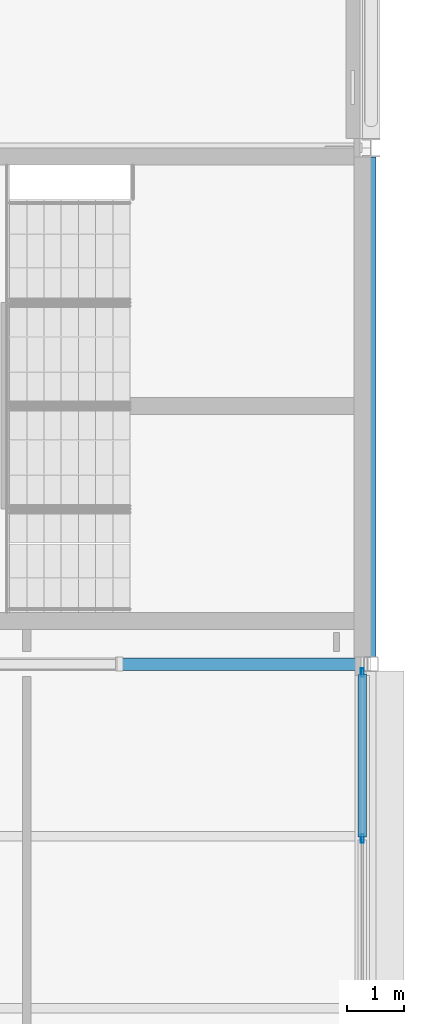
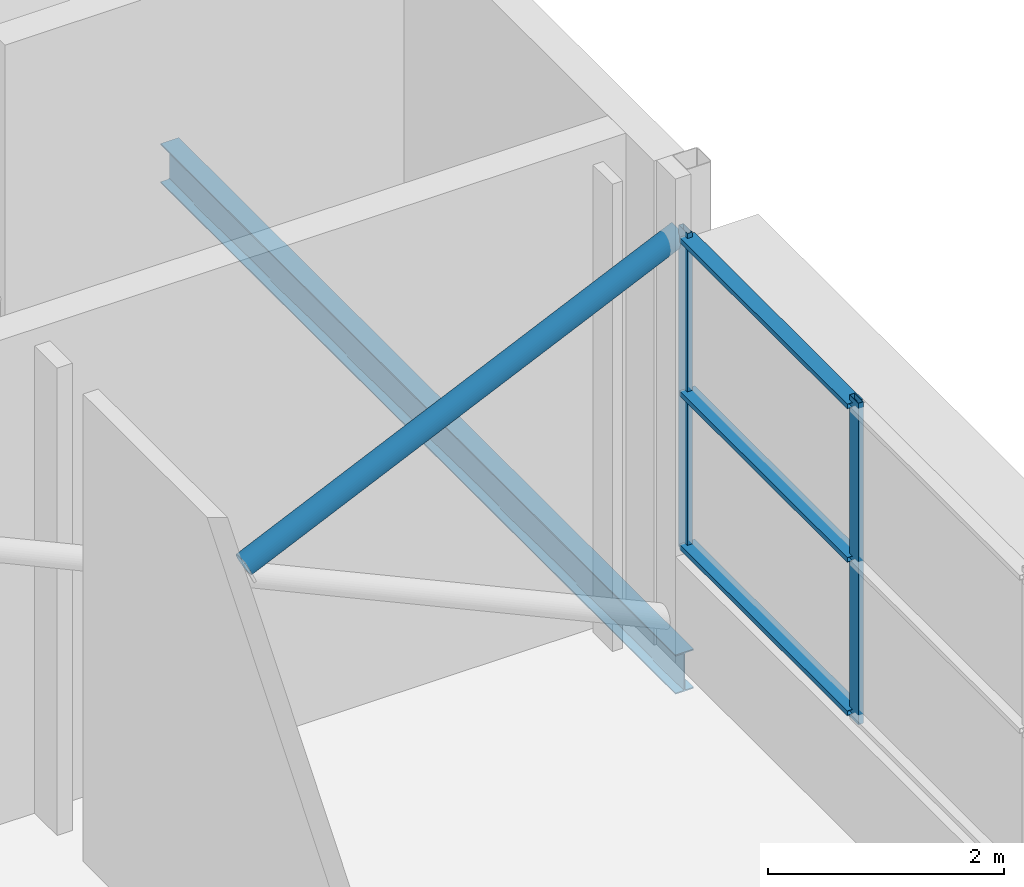
# One storey, part 54 of 94: 6 members, 1 beam, 1 element without a shape of its own.
"""IFC4 building model written with IfcOpenShell, lengths in metres."""

from ifc_helpers import new_model, si_unit, direction, frame, origin, origin_2d, place, context, subcontext, project, spatial, hollow_rectangle, hollow_circle, i_section, extrude, material, layer, layer_set, material_profile, profile_set, type_object, element, aggregate, save


model = new_model("IFC4")

# Units and contexts
model_context = context("Model", 3, precision=1e-05, world=origin(), true_north=direction((0.0, 1.0)))
body_context = subcontext(model_context, "Body", "Model", "MODEL_VIEW")
ifc_project = project(units=[si_unit("LENGTHUNIT", "METRE"), si_unit("AREAUNIT", "SQUARE_METRE"), si_unit("VOLUMEUNIT", "CUBIC_METRE"), si_unit("PLANEANGLEUNIT", "RADIAN"), si_unit("MASSUNIT", "GRAM", prefix="KILO")], contexts=[model_context])

# Site, building, storey
site_placement = place(None, origin())
site = spatial("IfcSite", under=ifc_project, at=site_placement, CompositionType="ELEMENT")
building_placement = place(site_placement, origin())
building = spatial("IfcBuilding", under=site, at=building_placement, Name="Shorebreak Coast Museum", CompositionType="ELEMENT")
storey_placement = place(building_placement, frame((0.0, 0.0, 31.0)))
storey = spatial("IfcBuildingStorey", under=building, at=storey_placement, Name="L05", CompositionType="ELEMENT", Elevation=31.0)

# Beam
ifc_material_1 = material(Name="Steel Grade 300", Category="steel")
ifc_material_profile_1 = material_profile(ifc_material_1, i_section(OverallWidth=0.177978515625, OverallDepth=0.406494140625, WebThickness=0.0078125, FlangeThickness=0.0126953125, FilletRadius=0.011474609375, at=origin_2d()), Name="410UB59.7")
ifc_profile_set_1 = profile_set([ifc_material_profile_1], Name="Steel Grade 300")
beam_type = type_object("IfcBeamType", Name="Floor girder north-south 410UB59.7", PredefinedType="BEAM", material=ifc_profile_set_1)
beam_placement = place(storey_placement, frame((117.0, 81.125, -0.378173828125), z_axis=(0.0, 1.0, 0.0), x_axis=(-1.0, 0.0, 0.0)))
element("IfcBeam", 1, at=beam_placement, inside=storey, type_object=beam_type, Name="Floor girder north-south L05 14K", PredefinedType="BEAM", context=body_context, shape_type="SweptSolid", body=[
    extrude(i_section(OverallWidth=0.177978515625, OverallDepth=0.406494140625, WebThickness=0.0078125, FlangeThickness=0.0126953125, FilletRadius=0.011474609375, at=origin_2d()), origin(), (0.0, 0.0, 1.0), 8.71142578125),
])

# Curtain wall, members
ifc_material_2 = material(Name="Aluminium", Category="aluminium")
ifc_layer = layer(ifc_material_2, 0.14990234375)
ifc_layer_set = layer_set([ifc_layer], Name="Aluminium")
curtain_wall_type = type_object("IfcCurtainWallType", Name="Storefront curtain wall", PredefinedType="NOTDEFINED", material=ifc_layer_set)
curtain_wall_placement = place(storey_placement, origin())
curtain_wall = element("IfcCurtainWall", 2, at=curtain_wall_placement, inside=storey, type_object=curtain_wall_type, Name="Atrium Hall glazing L05 E 12", PredefinedType="NOTDEFINED")
ifc_material_3 = material(Name="Aluminium", Category="aluminium")
ifc_material_profile_2 = material_profile(ifc_material_3, hollow_rectangle(XDim=0.050048828125, YDim=0.14990234375, WallThickness=0.00390625, at=origin_2d()), Name="AL 150x50 RHS")
ifc_profile_set_2 = profile_set([ifc_material_profile_2], Name="Aluminium")
member_type_1 = type_object("IfcMemberType", Name="Storefront mullion 50 x 150", PredefinedType="MULLION", material=ifc_profile_set_2)
member_1_placement = place(storey_placement, frame((116.85009765625, 77.958251953125, 1.10009765625), z_axis=(0.0, 0.0, 1.0), x_axis=(-1.0, 0.0, 0.0)))
member_1 = element("IfcMember", 3, at=member_1_placement, type_object=member_type_1, Name="CW5 mullion 3", PredefinedType="MULLION", context=body_context, shape_type="SweptSolid", body=[
    extrude(hollow_rectangle(XDim=0.050048828125, YDim=0.14990234375, WallThickness=0.00390625, at=origin_2d()), origin(), (0.0, 0.0, 1.0), 3.318603515625),
])
member_2_placement = place(storey_placement, frame((116.85009765625, 80.85009765625, 1.10009765625), z_axis=(0.0, 0.0, 1.0), x_axis=(-1.0, 0.0, 0.0)))
member_2 = element("IfcMember", 4, at=member_2_placement, type_object=member_type_1, Name="CW5 mullion 4", PredefinedType="MULLION", context=body_context, shape_type="SweptSolid", body=[
    extrude(hollow_rectangle(XDim=0.050048828125, YDim=0.14990234375, WallThickness=0.00390625, at=origin_2d()), origin(), (0.0, 0.0, 1.0), 3.318603515625),
])
ifc_material_4 = material(Name="Aluminium", Category="aluminium")
ifc_material_profile_3 = material_profile(ifc_material_4, hollow_rectangle(XDim=0.14990234375, YDim=0.050048828125, WallThickness=0.00390625, at=origin_2d()), Name="AL 50x150 RHS")
ifc_profile_set_3 = profile_set([ifc_material_profile_3], Name="Aluminium")
member_type_2 = type_object("IfcMemberType", Name="Storefront transom 150 x 50", PredefinedType="USERDEFINED", material=ifc_profile_set_3)
member_3_placement = place(storey_placement, frame((116.85009765625, 77.9833984375, 1.175048828125), z_axis=(0.0, 1.0, 0.0), x_axis=(-1.0, 0.0, 0.0)))
member_3 = element("IfcMember", 5, at=member_3_placement, type_object=member_type_2, Name="CW5 transom 3.1", ObjectType="TRANSOM", PredefinedType="USERDEFINED", context=body_context, shape_type="SweptSolid", body=[
    extrude(hollow_rectangle(XDim=0.14990234375, YDim=0.050048828125, WallThickness=0.00390625, at=origin_2d()), origin(), (0.0, 0.0, 1.0), 2.841552734375),
])
member_4_placement = place(storey_placement, frame((116.85009765625, 77.9833984375, 2.75927734375), z_axis=(0.0, 1.0, 0.0), x_axis=(-1.0, 0.0, 0.0)))
member_4 = element("IfcMember", 6, at=member_4_placement, type_object=member_type_2, Name="CW5 transom 3.2", ObjectType="TRANSOM", PredefinedType="USERDEFINED", context=body_context, shape_type="SweptSolid", body=[
    extrude(hollow_rectangle(XDim=0.14990234375, YDim=0.050048828125, WallThickness=0.00390625, at=origin_2d()), origin(), (0.0, 0.0, 1.0), 2.841552734375),
])
member_5_placement = place(storey_placement, frame((116.85009765625, 77.9833984375, 4.343505859375), z_axis=(0.0, 1.0, 0.0), x_axis=(-1.0, 0.0, 0.0)))
member_5 = element("IfcMember", 7, at=member_5_placement, type_object=member_type_2, Name="CW5 transom 3.3", ObjectType="TRANSOM", PredefinedType="USERDEFINED", context=body_context, shape_type="SweptSolid", body=[
    extrude(hollow_rectangle(XDim=0.14990234375, YDim=0.050048828125, WallThickness=0.00390625, at=origin_2d()), origin(), (0.0, 0.0, 1.0), 2.841552734375),
])
aggregate(curtain_wall, [member_1, member_2, member_3, member_4, member_5])

# Member
ifc_material_5 = material(Name="Steel Grade C350L0", Category="steel")
ifc_material_profile_4 = material_profile(ifc_material_5, hollow_circle(Radius=0.109619140625, WallThickness=0.00830078125, at=origin_2d()), Name="219.1x8.2 CHS")
ifc_profile_set_4 = profile_set([ifc_material_profile_4], Name="Steel Grade C350L0")
member_type_3 = type_object("IfcMemberType", Name="X-brace 219.1x8.2 CHS", PredefinedType="BRACE", material=ifc_profile_set_4)
member_6_placement = place(storey_placement, frame((112.622314453125, 81.0, 2.336669921875), z_axis=(0.909947385732, 0.0, 0.414723709474), x_axis=(0.0, 1.0, 0.0)))
element("IfcMember", 8, at=member_6_placement, inside=storey, type_object=member_type_3, Name="X-brace bay 04 L05 diagonal 1", PredefinedType="BRACE", context=body_context, shape_type="SweptSolid", body=[
    extrude(hollow_circle(Radius=0.109619140625, WallThickness=0.00830078125, at=origin_2d()), origin(), (0.0, 0.0, 1.0), 4.673583984375),
])

save(model, "model.ifc")
